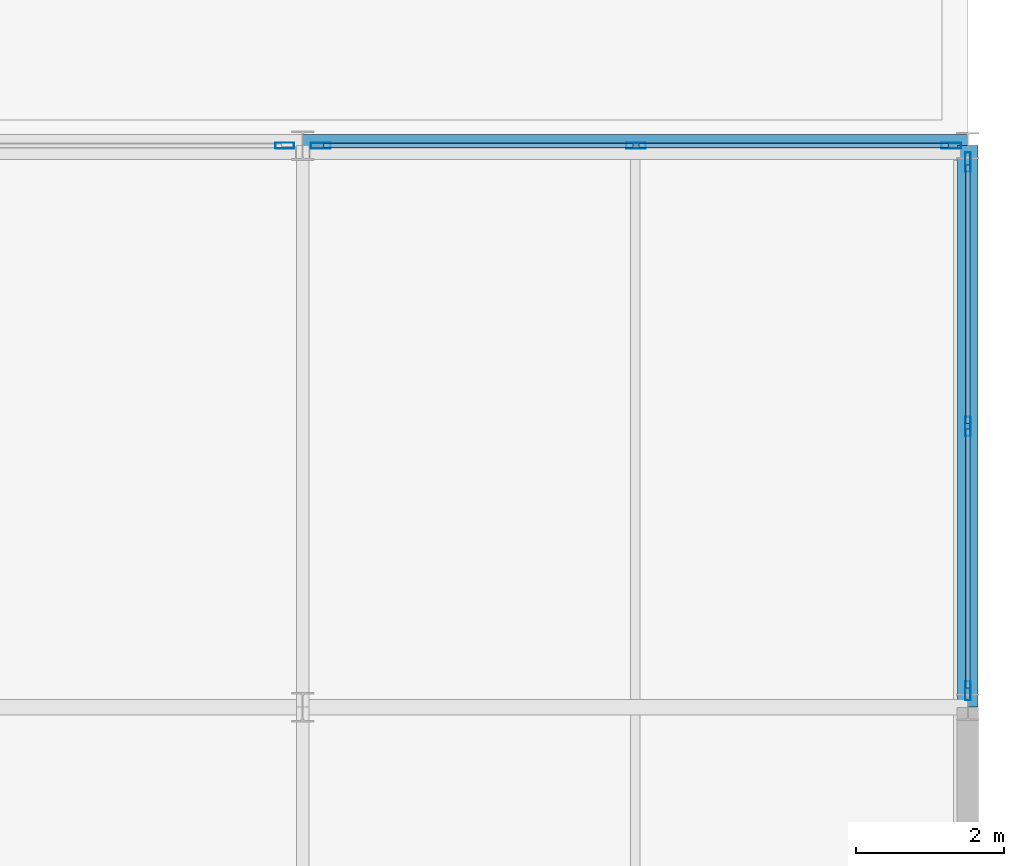
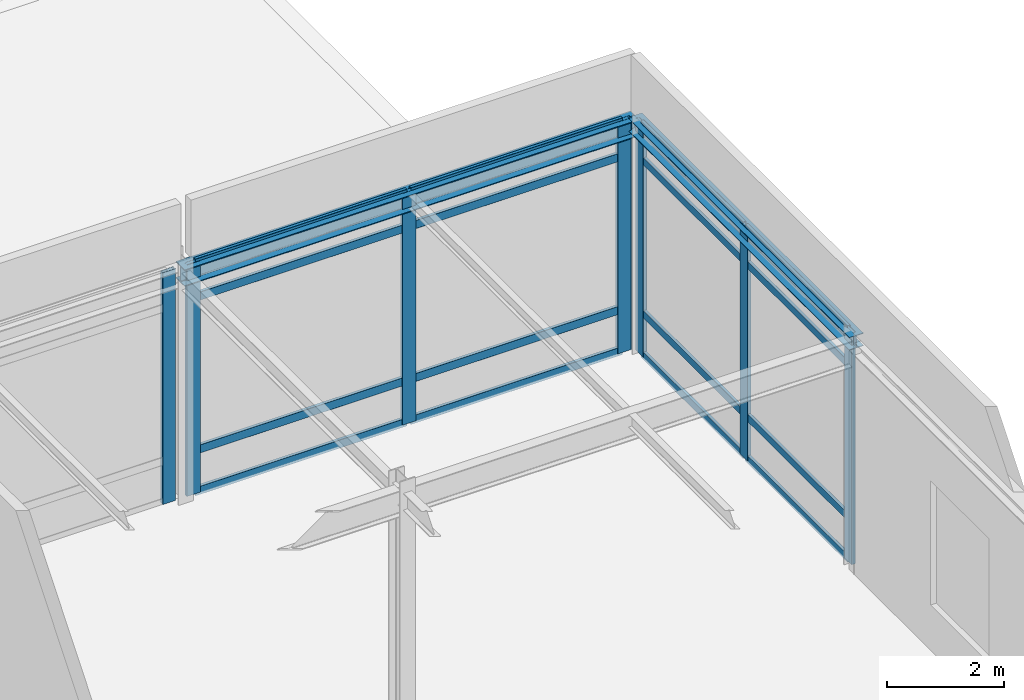
# One storey, part 48 of 79: 23 members, 2 beams, 3 elements without a shape of their own.
"""IFC4 building model written with IfcOpenShell, lengths in metres."""

from ifc_helpers import new_model, si_unit, direction, frame, origin, origin_2d, place, context, subcontext, project, spatial, hollow_rectangle, i_section, extrude, material, layer, layer_set, material_profile, profile_set, type_object, element, aggregate, save


model = new_model("IFC4")

# Units and contexts
model_context = context("Model", 3, precision=1e-05, world=origin(), true_north=direction((0.0, 1.0)))
body_context = subcontext(model_context, "Body", "Model", "MODEL_VIEW")
ifc_project = project(units=[si_unit("LENGTHUNIT", "METRE"), si_unit("AREAUNIT", "SQUARE_METRE"), si_unit("VOLUMEUNIT", "CUBIC_METRE"), si_unit("PLANEANGLEUNIT", "RADIAN"), si_unit("MASSUNIT", "GRAM", prefix="KILO")], contexts=[model_context])

# Site, building, storey
site_placement = place(None, origin())
site = spatial("IfcSite", under=ifc_project, at=site_placement, CompositionType="ELEMENT")
building_placement = place(site_placement, origin())
building = spatial("IfcBuilding", under=site, at=building_placement, Name="Shalkamar Park Central Library", CompositionType="ELEMENT")
storey_placement = place(building_placement, frame((0.0, 0.0, 10.5)))
storey = spatial("IfcBuildingStorey", under=building, at=storey_placement, Name="L03", CompositionType="ELEMENT", Elevation=10.5)

# Curtain wall, members
ifc_material_1 = material(Name="Thermally broken aluminium and triple low-e curtain wall", Category="aluminium")
ifc_layer_1 = layer(ifc_material_1, 0.260009765625)
ifc_layer_set_1 = layer_set([ifc_layer_1], Name="UnitisedCurtainWall_51")
curtain_wall_type_1 = type_object("IfcCurtainWallType", Name="Unitised Curtain Wall 51", PredefinedType="USERDEFINED", material=ifc_layer_set_1)
curtain_wall_1_placement = place(storey_placement, origin())
curtain_wall_1 = element("IfcCurtainWall", 1, at=curtain_wall_1_placement, inside=storey, type_object=curtain_wall_type_1, Name="Unitised Curtain Wall CW-L03-065", ObjectType="UNITISED CURTAIN WALL", PredefinedType="USERDEFINED")
ifc_material_2 = material(Name="Aluminium 6060-T66", Category="aluminium")
ifc_material_profile_1 = material_profile(ifc_material_2, hollow_rectangle(XDim=0.074951171875, YDim=0.260009765625, WallThickness=0.00439453125, InnerFilletRadius=0.00439453125, OuterFilletRadius=0.0068359375, at=origin_2d()), Name="ALU 75x260x4.5")
ifc_profile_set_1 = profile_set([ifc_material_profile_1], Name="Aluminium 6060-T66")
member_type_1 = type_object("IfcMemberType", Name="Curtain Wall Mullion ALU75x260", PredefinedType="MULLION", material=ifc_profile_set_1)
member_1_placement = place(storey_placement, frame((273.0, 316.221435546875, 0.0), z_axis=(0.0, 0.0, 1.0), x_axis=(-1.0, 0.0, 0.0)))
member_1 = element("IfcMember", 2, at=member_1_placement, type_object=member_type_1, Name="CW-51 mullion 1", PredefinedType="MULLION", context=body_context, shape_type="SweptSolid", body=[
    extrude(hollow_rectangle(XDim=0.074951171875, YDim=0.260009765625, WallThickness=0.00439453125, InnerFilletRadius=0.00439453125, OuterFilletRadius=0.0068359375, at=origin_2d()), origin(), (0.0, 0.0, 1.0), 4.85009765625),
])
member_2_placement = place(storey_placement, frame((273.0, 319.800048828125, 0.0), z_axis=(0.0, 0.0, 1.0), x_axis=(-1.0, 0.0, 0.0)))
member_2 = element("IfcMember", 3, at=member_2_placement, type_object=member_type_1, Name="CW-51 mullion 2", PredefinedType="MULLION", context=body_context, shape_type="SweptSolid", body=[
    extrude(hollow_rectangle(XDim=0.074951171875, YDim=0.260009765625, WallThickness=0.00439453125, InnerFilletRadius=0.00439453125, OuterFilletRadius=0.0068359375, at=origin_2d()), origin(), (0.0, 0.0, 1.0), 4.85009765625),
])
member_3_placement = place(storey_placement, frame((273.0, 323.37841796875, 0.0), z_axis=(0.0, 0.0, 1.0), x_axis=(-1.0, 0.0, 0.0)))
member_3 = element("IfcMember", 4, at=member_3_placement, type_object=member_type_1, Name="CW-51 mullion 3", PredefinedType="MULLION", context=body_context, shape_type="SweptSolid", body=[
    extrude(hollow_rectangle(XDim=0.074951171875, YDim=0.260009765625, WallThickness=0.00439453125, InnerFilletRadius=0.00439453125, OuterFilletRadius=0.0068359375, at=origin_2d()), origin(), (0.0, 0.0, 1.0), 4.85009765625),
])

# Curtain wall, member
ifc_layer_2 = layer(ifc_material_1, 0.2548828125)
ifc_layer_set_2 = layer_set([ifc_layer_2], Name="UnitisedCurtainWall_35")
curtain_wall_type_2 = type_object("IfcCurtainWallType", Name="Unitised Curtain Wall 35", PredefinedType="USERDEFINED", material=ifc_layer_set_2)
curtain_wall_2_placement = place(storey_placement, origin())
curtain_wall_2 = element("IfcCurtainWall", 5, at=curtain_wall_2_placement, inside=storey, type_object=curtain_wall_type_2, Name="Unitised Curtain Wall CW-L03-058", ObjectType="UNITISED CURTAIN WALL", PredefinedType="USERDEFINED")
ifc_material_profile_2 = material_profile(ifc_material_2, hollow_rectangle(XDim=0.080078125, YDim=0.2548828125, WallThickness=0.00439453125, InnerFilletRadius=0.00439453125, OuterFilletRadius=0.0068359375, at=origin_2d()), Name="ALU 80x255x4.5")
ifc_profile_set_2 = profile_set([ifc_material_profile_2], Name="Aluminium 6060-T66")
member_type_2 = type_object("IfcMemberType", Name="Curtain Wall Mullion ALU80x255", PredefinedType="MULLION", material=ifc_profile_set_2)
member_4_placement = place(storey_placement, frame((263.756103515625, 323.60009765625, 0.0), z_axis=(0.0, 0.0, 1.0), x_axis=(0.0, 1.0, 0.0)))
member_4 = element("IfcMember", 6, at=member_4_placement, type_object=member_type_2, Name="CW-35 mullion 3", PredefinedType="MULLION", context=body_context, shape_type="SweptSolid", body=[
    extrude(hollow_rectangle(XDim=0.080078125, YDim=0.2548828125, WallThickness=0.00439453125, InnerFilletRadius=0.00439453125, OuterFilletRadius=0.0068359375, at=origin_2d()), origin(), (0.0, 0.0, 1.0), 4.85009765625),
])
aggregate(curtain_wall_2, [member_4])

# Curtain wall, members
ifc_layer_3 = layer(ifc_material_1, 0.27001953125)
ifc_layer_set_3 = layer_set([ifc_layer_3], Name="UnitisedCurtainWall_48")
curtain_wall_type_3 = type_object("IfcCurtainWallType", Name="Unitised Curtain Wall 48", PredefinedType="USERDEFINED", material=ifc_layer_set_3)
curtain_wall_3_placement = place(storey_placement, origin())
curtain_wall_3 = element("IfcCurtainWall", 7, at=curtain_wall_3_placement, inside=storey, type_object=curtain_wall_type_3, Name="Unitised Curtain Wall CW-L03-059", ObjectType="UNITISED CURTAIN WALL", PredefinedType="USERDEFINED")
ifc_material_profile_3 = material_profile(ifc_material_2, hollow_rectangle(XDim=0.080078125, YDim=0.27001953125, WallThickness=0.0048828125, InnerFilletRadius=0.0048828125, OuterFilletRadius=0.007568359375, at=origin_2d()), Name="ALU 80x270x5")
ifc_profile_set_3 = profile_set([ifc_material_profile_3], Name="Aluminium 6060-T66")
member_type_3 = type_object("IfcMemberType", Name="Curtain Wall Mullion ALU80x270", PredefinedType="MULLION", material=ifc_profile_set_3)
member_5_placement = place(storey_placement, frame((264.243896484375, 323.60009765625, 0.0), z_axis=(0.0, 0.0, 1.0), x_axis=(0.0, 1.0, 0.0)))
member_5 = element("IfcMember", 8, at=member_5_placement, type_object=member_type_3, Name="CW-48 mullion 1", PredefinedType="MULLION", context=body_context, shape_type="SweptSolid", body=[
    extrude(hollow_rectangle(XDim=0.080078125, YDim=0.27001953125, WallThickness=0.0048828125, InnerFilletRadius=0.0048828125, OuterFilletRadius=0.007568359375, at=origin_2d()), origin(), (0.0, 0.0, 1.0), 4.85009765625),
])
member_6_placement = place(storey_placement, frame((268.510009765625, 323.60009765625, 0.0), z_axis=(0.0, 0.0, 1.0), x_axis=(0.0, 1.0, 0.0)))
member_6 = element("IfcMember", 9, at=member_6_placement, type_object=member_type_3, Name="CW-48 mullion 2", PredefinedType="MULLION", context=body_context, shape_type="SweptSolid", body=[
    extrude(hollow_rectangle(XDim=0.080078125, YDim=0.27001953125, WallThickness=0.0048828125, InnerFilletRadius=0.0048828125, OuterFilletRadius=0.007568359375, at=origin_2d()), origin(), (0.0, 0.0, 1.0), 4.85009765625),
])
member_7_placement = place(storey_placement, frame((272.77587890625, 323.60009765625, 0.0), z_axis=(0.0, 0.0, 1.0), x_axis=(0.0, 1.0, 0.0)))
member_7 = element("IfcMember", 10, at=member_7_placement, type_object=member_type_3, Name="CW-48 mullion 3", PredefinedType="MULLION", context=body_context, shape_type="SweptSolid", body=[
    extrude(hollow_rectangle(XDim=0.080078125, YDim=0.27001953125, WallThickness=0.0048828125, InnerFilletRadius=0.0048828125, OuterFilletRadius=0.007568359375, at=origin_2d()), origin(), (0.0, 0.0, 1.0), 4.85009765625),
])

# Member
ifc_material_profile_4 = material_profile(ifc_material_2, hollow_rectangle(XDim=0.06005859375, YDim=0.1650390625, WallThickness=0.00390625, InnerFilletRadius=0.00390625, OuterFilletRadius=0.006103515625, at=origin_2d()), Name="ALU 60x165x4")
ifc_profile_set_4 = profile_set([ifc_material_profile_4], Name="Aluminium 6060-T66")
member_type_4 = type_object("IfcMemberType", Name="Curtain Wall Transom ALU60x165", PredefinedType="USERDEFINED", material=ifc_profile_set_4)
member_8_placement = place(storey_placement, frame((273.0, 316.259033203125, 0.030029296875), z_axis=(0.0, 1.0, 0.0), x_axis=(-1.0, 0.0, 0.0)))
member_8 = element("IfcMember", 11, at=member_8_placement, type_object=member_type_4, Name="CW-51 transom 1.1", ObjectType="TRANSOM", PredefinedType="USERDEFINED", context=body_context, shape_type="SweptSolid", body=[
    extrude(hollow_rectangle(XDim=0.06005859375, YDim=0.1650390625, WallThickness=0.00390625, InnerFilletRadius=0.00390625, OuterFilletRadius=0.006103515625, at=origin_2d()), origin(), (0.0, 0.0, 1.0), 3.50341796875),
])

member_9_placement = place(storey_placement, frame((273.0, 316.259033203125, 0.89990234375), z_axis=(0.0, 1.0, 0.0), x_axis=(-1.0, 0.0, 0.0)))
member_9 = element("IfcMember", 12, at=member_9_placement, type_object=member_type_4, Name="CW-51 transom 1.2", ObjectType="TRANSOM", PredefinedType="USERDEFINED", context=body_context, shape_type="SweptSolid", body=[
    extrude(hollow_rectangle(XDim=0.06005859375, YDim=0.1650390625, WallThickness=0.00390625, InnerFilletRadius=0.00390625, OuterFilletRadius=0.006103515625, at=origin_2d()), origin(), (0.0, 0.0, 1.0), 3.50341796875),
])

member_10_placement = place(storey_placement, frame((273.0, 316.259033203125, 4.10009765625), z_axis=(0.0, 1.0, 0.0), x_axis=(-1.0, 0.0, 0.0)))
member_10 = element("IfcMember", 13, at=member_10_placement, type_object=member_type_4, Name="CW-51 transom 1.3", ObjectType="TRANSOM", PredefinedType="USERDEFINED", context=body_context, shape_type="SweptSolid", body=[
    extrude(hollow_rectangle(XDim=0.06005859375, YDim=0.1650390625, WallThickness=0.00390625, InnerFilletRadius=0.00390625, OuterFilletRadius=0.006103515625, at=origin_2d()), origin(), (0.0, 0.0, 1.0), 3.50341796875),
])

member_11_placement = place(storey_placement, frame((273.0, 316.259033203125, 4.820068359375), z_axis=(0.0, 1.0, 0.0), x_axis=(-1.0, 0.0, 0.0)))
member_11 = element("IfcMember", 14, at=member_11_placement, type_object=member_type_4, Name="CW-51 transom 1.4", ObjectType="TRANSOM", PredefinedType="USERDEFINED", context=body_context, shape_type="SweptSolid", body=[
    extrude(hollow_rectangle(XDim=0.06005859375, YDim=0.1650390625, WallThickness=0.00390625, InnerFilletRadius=0.00390625, OuterFilletRadius=0.006103515625, at=origin_2d()), origin(), (0.0, 0.0, 1.0), 3.50341796875),
])

member_12_placement = place(storey_placement, frame((273.0, 319.83740234375, 0.030029296875), z_axis=(0.0, 1.0, 0.0), x_axis=(-1.0, 0.0, 0.0)))
member_12 = element("IfcMember", 15, at=member_12_placement, type_object=member_type_4, Name="CW-51 transom 2.1", ObjectType="TRANSOM", PredefinedType="USERDEFINED", context=body_context, shape_type="SweptSolid", body=[
    extrude(hollow_rectangle(XDim=0.06005859375, YDim=0.1650390625, WallThickness=0.00390625, InnerFilletRadius=0.00390625, OuterFilletRadius=0.006103515625, at=origin_2d()), origin(), (0.0, 0.0, 1.0), 3.503662109375),
])

member_13_placement = place(storey_placement, frame((273.0, 319.83740234375, 0.89990234375), z_axis=(0.0, 1.0, 0.0), x_axis=(-1.0, 0.0, 0.0)))
member_13 = element("IfcMember", 16, at=member_13_placement, type_object=member_type_4, Name="CW-51 transom 2.2", ObjectType="TRANSOM", PredefinedType="USERDEFINED", context=body_context, shape_type="SweptSolid", body=[
    extrude(hollow_rectangle(XDim=0.06005859375, YDim=0.1650390625, WallThickness=0.00390625, InnerFilletRadius=0.00390625, OuterFilletRadius=0.006103515625, at=origin_2d()), origin(), (0.0, 0.0, 1.0), 3.503662109375),
])

member_14_placement = place(storey_placement, frame((273.0, 319.83740234375, 4.10009765625), z_axis=(0.0, 1.0, 0.0), x_axis=(-1.0, 0.0, 0.0)))
member_14 = element("IfcMember", 17, at=member_14_placement, type_object=member_type_4, Name="CW-51 transom 2.3", ObjectType="TRANSOM", PredefinedType="USERDEFINED", context=body_context, shape_type="SweptSolid", body=[
    extrude(hollow_rectangle(XDim=0.06005859375, YDim=0.1650390625, WallThickness=0.00390625, InnerFilletRadius=0.00390625, OuterFilletRadius=0.006103515625, at=origin_2d()), origin(), (0.0, 0.0, 1.0), 3.503662109375),
])

member_15_placement = place(storey_placement, frame((273.0, 319.83740234375, 4.820068359375), z_axis=(0.0, 1.0, 0.0), x_axis=(-1.0, 0.0, 0.0)))
member_15 = element("IfcMember", 18, at=member_15_placement, type_object=member_type_4, Name="CW-51 transom 2.4", ObjectType="TRANSOM", PredefinedType="USERDEFINED", context=body_context, shape_type="SweptSolid", body=[
    extrude(hollow_rectangle(XDim=0.06005859375, YDim=0.1650390625, WallThickness=0.00390625, InnerFilletRadius=0.00390625, OuterFilletRadius=0.006103515625, at=origin_2d()), origin(), (0.0, 0.0, 1.0), 3.503662109375),
])

aggregate(curtain_wall_1, [member_1, member_2, member_3, member_8, member_9, member_10, member_11, member_12, member_13, member_14, member_15])

ifc_material_profile_5 = material_profile(ifc_material_2, hollow_rectangle(XDim=0.06494140625, YDim=0.175048828125, WallThickness=0.00439453125, InnerFilletRadius=0.00439453125, OuterFilletRadius=0.0068359375, at=origin_2d()), Name="ALU 65x175x4.5")
ifc_profile_set_5 = profile_set([ifc_material_profile_5], Name="Aluminium 6060-T66")
member_type_5 = type_object("IfcMemberType", Name="Curtain Wall Transom ALU65x175", PredefinedType="USERDEFINED", material=ifc_profile_set_5)
member_16_placement = place(storey_placement, frame((264.283935546875, 323.60009765625, 0.032470703125), z_axis=(1.0, 0.0, 0.0), x_axis=(0.0, 1.0, 0.0)))
member_16 = element("IfcMember", 19, at=member_16_placement, type_object=member_type_5, Name="CW-48 transom 1.1", ObjectType="TRANSOM", PredefinedType="USERDEFINED", context=body_context, shape_type="SweptSolid", body=[
    extrude(hollow_rectangle(XDim=0.06494140625, YDim=0.175048828125, WallThickness=0.00439453125, InnerFilletRadius=0.00439453125, OuterFilletRadius=0.0068359375, at=origin_2d()), origin(), (0.0, 0.0, 1.0), 4.18603515625),
])

member_17_placement = place(storey_placement, frame((264.283935546875, 323.60009765625, 0.89990234375), z_axis=(1.0, 0.0, 0.0), x_axis=(0.0, 1.0, 0.0)))
member_17 = element("IfcMember", 20, at=member_17_placement, type_object=member_type_5, Name="CW-48 transom 1.2", ObjectType="TRANSOM", PredefinedType="USERDEFINED", context=body_context, shape_type="SweptSolid", body=[
    extrude(hollow_rectangle(XDim=0.06494140625, YDim=0.175048828125, WallThickness=0.00439453125, InnerFilletRadius=0.00439453125, OuterFilletRadius=0.0068359375, at=origin_2d()), origin(), (0.0, 0.0, 1.0), 4.18603515625),
])

member_18_placement = place(storey_placement, frame((264.283935546875, 323.60009765625, 4.10009765625), z_axis=(1.0, 0.0, 0.0), x_axis=(0.0, 1.0, 0.0)))
member_18 = element("IfcMember", 21, at=member_18_placement, type_object=member_type_5, Name="CW-48 transom 1.3", ObjectType="TRANSOM", PredefinedType="USERDEFINED", context=body_context, shape_type="SweptSolid", body=[
    extrude(hollow_rectangle(XDim=0.06494140625, YDim=0.175048828125, WallThickness=0.00439453125, InnerFilletRadius=0.00439453125, OuterFilletRadius=0.0068359375, at=origin_2d()), origin(), (0.0, 0.0, 1.0), 4.18603515625),
])

member_19_placement = place(storey_placement, frame((264.283935546875, 323.60009765625, 4.8173828125), z_axis=(1.0, 0.0, 0.0), x_axis=(0.0, 1.0, 0.0)))
member_19 = element("IfcMember", 22, at=member_19_placement, type_object=member_type_5, Name="CW-48 transom 1.4", ObjectType="TRANSOM", PredefinedType="USERDEFINED", context=body_context, shape_type="SweptSolid", body=[
    extrude(hollow_rectangle(XDim=0.06494140625, YDim=0.175048828125, WallThickness=0.00439453125, InnerFilletRadius=0.00439453125, OuterFilletRadius=0.0068359375, at=origin_2d()), origin(), (0.0, 0.0, 1.0), 4.18603515625),
])

member_20_placement = place(storey_placement, frame((268.550048828125, 323.60009765625, 0.032470703125), z_axis=(1.0, 0.0, 0.0), x_axis=(0.0, 1.0, 0.0)))
member_20 = element("IfcMember", 23, at=member_20_placement, type_object=member_type_5, Name="CW-48 transom 2.1", ObjectType="TRANSOM", PredefinedType="USERDEFINED", context=body_context, shape_type="SweptSolid", body=[
    extrude(hollow_rectangle(XDim=0.06494140625, YDim=0.175048828125, WallThickness=0.00439453125, InnerFilletRadius=0.00439453125, OuterFilletRadius=0.0068359375, at=origin_2d()), origin(), (0.0, 0.0, 1.0), 4.18603515625),
])

member_21_placement = place(storey_placement, frame((268.550048828125, 323.60009765625, 0.89990234375), z_axis=(1.0, 0.0, 0.0), x_axis=(0.0, 1.0, 0.0)))
member_21 = element("IfcMember", 24, at=member_21_placement, type_object=member_type_5, Name="CW-48 transom 2.2", ObjectType="TRANSOM", PredefinedType="USERDEFINED", context=body_context, shape_type="SweptSolid", body=[
    extrude(hollow_rectangle(XDim=0.06494140625, YDim=0.175048828125, WallThickness=0.00439453125, InnerFilletRadius=0.00439453125, OuterFilletRadius=0.0068359375, at=origin_2d()), origin(), (0.0, 0.0, 1.0), 4.18603515625),
])

member_22_placement = place(storey_placement, frame((268.550048828125, 323.60009765625, 4.10009765625), z_axis=(1.0, 0.0, 0.0), x_axis=(0.0, 1.0, 0.0)))
member_22 = element("IfcMember", 25, at=member_22_placement, type_object=member_type_5, Name="CW-48 transom 2.3", ObjectType="TRANSOM", PredefinedType="USERDEFINED", context=body_context, shape_type="SweptSolid", body=[
    extrude(hollow_rectangle(XDim=0.06494140625, YDim=0.175048828125, WallThickness=0.00439453125, InnerFilletRadius=0.00439453125, OuterFilletRadius=0.0068359375, at=origin_2d()), origin(), (0.0, 0.0, 1.0), 4.18603515625),
])

member_23_placement = place(storey_placement, frame((268.550048828125, 323.60009765625, 4.8173828125), z_axis=(1.0, 0.0, 0.0), x_axis=(0.0, 1.0, 0.0)))
member_23 = element("IfcMember", 26, at=member_23_placement, type_object=member_type_5, Name="CW-48 transom 2.4", ObjectType="TRANSOM", PredefinedType="USERDEFINED", context=body_context, shape_type="SweptSolid", body=[
    extrude(hollow_rectangle(XDim=0.06494140625, YDim=0.175048828125, WallThickness=0.00439453125, InnerFilletRadius=0.00439453125, OuterFilletRadius=0.0068359375, at=origin_2d()), origin(), (0.0, 0.0, 1.0), 4.18603515625),
])

aggregate(curtain_wall_3, [member_5, member_6, member_7, member_16, member_17, member_18, member_19, member_20, member_21, member_22, member_23])

# Beams
ifc_material_3 = material(Name="Steel S355", Category="steel")
ifc_material_profile_6 = material_profile(ifc_material_3, i_section(OverallWidth=0.280029296875, OverallDepth=0.27001953125, WebThickness=0.008056640625, FlangeThickness=0.012939453125, FilletRadius=0.02392578125, at=origin_2d()), Name="HEA 280")
ifc_profile_set_6 = profile_set([ifc_material_profile_6], Name="Steel S355")
beam_type_1 = type_object("IfcBeamType", Name="Perimeter Spandrel Beam HEA280", PredefinedType="SPANDREL", material=ifc_profile_set_6)
beam_1_placement = place(storey_placement, frame((273.0, 316.0, 4.715087890625), z_axis=(0.0, 1.0, 0.0), x_axis=(-1.0, 0.0, 0.0)))
element("IfcBeam", 27, at=beam_1_placement, inside=storey, type_object=beam_type_1, Name="Beam 20:L-M (L03)", PredefinedType="SPANDREL", context=body_context, shape_type="SweptSolid", body=[
    extrude(i_section(OverallWidth=0.280029296875, OverallDepth=0.27001953125, WebThickness=0.008056640625, FlangeThickness=0.012939453125, FilletRadius=0.02392578125, at=origin_2d()), origin(), (0.0, 0.0, 1.0), 7.60009765625),
])
ifc_material_profile_7 = material_profile(ifc_material_3, i_section(OverallWidth=0.300048828125, OverallDepth=0.35009765625, WebThickness=0.010009765625, FlangeThickness=0.017578125, FilletRadius=0.027099609375, at=origin_2d()), Name="HEA 360")
ifc_profile_set_7 = profile_set([ifc_material_profile_7], Name="Steel S355")
beam_type_2 = type_object("IfcBeamType", Name="Perimeter Spandrel Beam HEA360", PredefinedType="SPANDREL", material=ifc_profile_set_7)
beam_2_placement = place(storey_placement, frame((264.0, 323.60009765625, 4.675048828125), z_axis=(1.0, 0.0, 0.0), x_axis=(0.0, 1.0, 0.0)))
element("IfcBeam", 28, at=beam_2_placement, inside=storey, type_object=beam_type_2, Name="Beam M:19-20 (L03)", PredefinedType="SPANDREL", context=body_context, shape_type="SweptSolid", body=[
    extrude(i_section(OverallWidth=0.300048828125, OverallDepth=0.35009765625, WebThickness=0.010009765625, FlangeThickness=0.017578125, FilletRadius=0.027099609375, at=origin_2d()), origin(), (0.0, 0.0, 1.0), 9.0),
])

save(model, "model.ifc")
